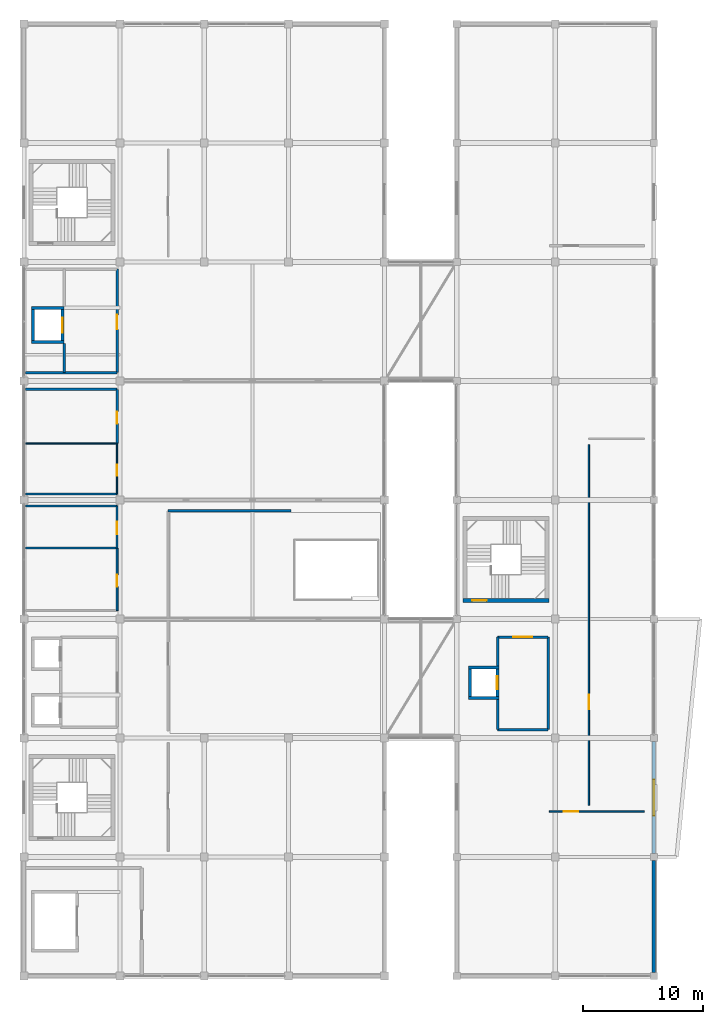
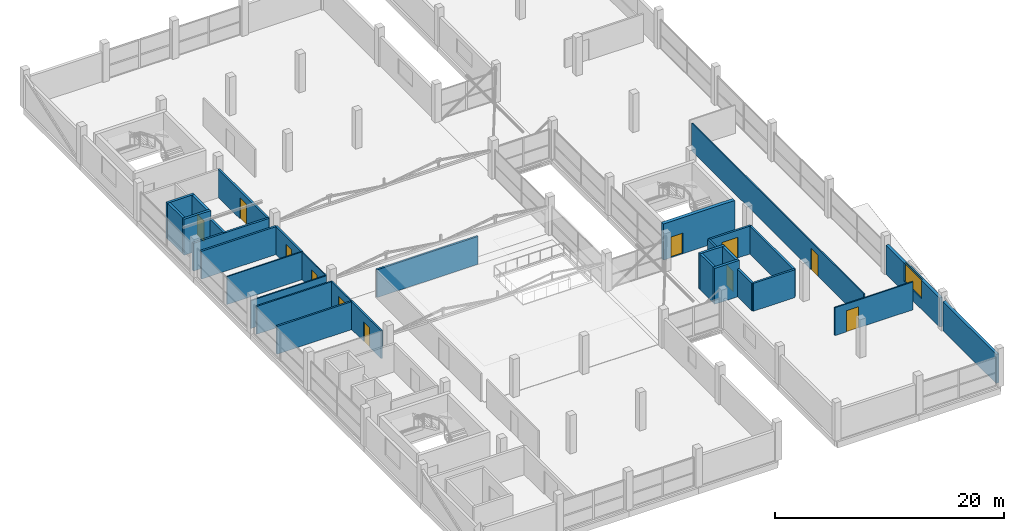
# One storey, part 57 of 66: 31 walls, 11 doors, 1 window, 12 openings.
"""IFC4 building model written with IfcOpenShell, lengths in metres."""

import ifcopenshell
import ifcopenshell.guid

model = None  # the IFC model being written
_history = None  # IfcOwnerHistory: only IFC2X3 demands one
_inside = {}  # id of a spatial element -> (the spatial element, [elements in it])
_under = {}  # id of a project, library or spatial element -> (it, [spatial elements below it])
_declared = {}  # id of a project -> (the project, [libraries it declares])
_typed = {}  # id of a type object -> (the type object, [elements of that type])
_made_of = {}  # id of a material, layer set ... -> (it, [elements and type objects made of it])


def new_model(schema):
    """Start an empty IFC model of exactly this schema.

    Asked for "IFC4X3", IfcOpenShell would pick the latest addendum, in which some entities
    have other attributes; the version numbers below select the first issue.
    IFC2X3 requires an IfcOwnerHistory on every rooted entity: one is made here for all.
    """
    global model, _history
    if schema == "IFC4X3":
        model = ifcopenshell.file(schema_version=(4, 3, 0, 0))
    else:
        model = ifcopenshell.file(schema=schema)
    _inside.clear()
    _under.clear()
    _declared.clear()
    _typed.clear()
    _made_of.clear()
    _history = None
    if model.schema == "IFC2X3":
        org = make("IfcOrganization", Name="unknown")
        user = make(
            "IfcPersonAndOrganization",
            ThePerson=make("IfcPerson", FamilyName="unknown"),
            TheOrganization=org,
        )
        app = make(
            "IfcApplication",
            ApplicationDeveloper=org,
            Version="unknown",
            ApplicationFullName="unknown",
            ApplicationIdentifier="unknown",
        )
        _history = make(
            "IfcOwnerHistory",
            OwningUser=user,
            OwningApplication=app,
            ChangeAction="ADDED",
            CreationDate=0,
        )
    return model


def make(cls, **values):
    """One entity of the class cls with the attributes given. An attribute that is None is left unset."""
    return model.create_entity(
        cls, **{name: value for name, value in values.items() if value is not None}
    )


def rooted(cls, **values):
    """An entity with a GlobalId (a new one), such as an element, a storey or a relation."""
    return make(cls, GlobalId=ifcopenshell.guid.new(), OwnerHistory=_history, **values)


def si_unit(unit_type, name, prefix=None):
    """IfcSIUnit, for example si_unit("LENGTHUNIT", "METRE", prefix="MILLI")."""
    return make("IfcSIUnit", UnitType=unit_type, Prefix=prefix, Name=name)


def assignment(units):
    """IfcUnitAssignment: the units of a project."""
    return None if units is None else make("IfcUnitAssignment", Units=units)


def point(xyz):
    """IfcCartesianPoint."""
    return None if xyz is None else make("IfcCartesianPoint", Coordinates=xyz)


def direction(xyz):
    """IfcDirection."""
    return None if xyz is None else make("IfcDirection", DirectionRatios=xyz)


def frame(location, z_axis=None, x_axis=None):
    """IfcAxis2Placement3D, a coordinate frame: its origin and axes. An axis left out is left unset."""
    return make(
        "IfcAxis2Placement3D",
        Location=point(location),
        Axis=direction(z_axis),
        RefDirection=direction(x_axis),
    )


def frame_2d(location, x_axis=None):
    """IfcAxis2Placement2D, a coordinate frame in the plane: its origin and x axis."""
    return make(
        "IfcAxis2Placement2D", Location=point(location), RefDirection=direction(x_axis)
    )


def origin():
    """The frame at (0, 0, 0) with its axes left unset."""
    return frame((0.0, 0.0, 0.0))


def place(relative_to, where):
    """IfcLocalPlacement: puts the frame where relative to a parent placement (None: the world)."""
    return make(
        "IfcLocalPlacement", PlacementRelTo=relative_to, RelativePlacement=where
    )


def context(
    kind, dimensions, precision=None, world=None, true_north=None, identifier=None
):
    """IfcGeometricRepresentationContext, for example the 3D "Model" context."""
    return make(
        "IfcGeometricRepresentationContext",
        ContextIdentifier=identifier,
        ContextType=kind,
        CoordinateSpaceDimension=dimensions,
        Precision=precision,
        WorldCoordinateSystem=world,
        TrueNorth=true_north,
    )


def subcontext(parent, identifier, kind, view, scale=None):
    """IfcGeometricRepresentationSubContext, for example "Body" below "Model"."""
    return make(
        "IfcGeometricRepresentationSubContext",
        ContextIdentifier=identifier,
        ContextType=kind,
        ParentContext=parent,
        TargetScale=scale,
        TargetView=view,
    )


def project(units=None, contexts=None):
    """IfcProject with its units and contexts."""
    return rooted(
        "IfcProject",
        Name="project",
        RepresentationContexts=contexts,
        UnitsInContext=assignment(units),
    )


def spatial(cls, under=None, at=None, **own):
    """A site, building, storey or space (cls), placed at a placement, below another one or the project."""
    s = rooted(cls, ObjectPlacement=at, **own)
    if under is not None:
        _under.setdefault(under.id(), (under, []))[1].append(s)
    return s


def profile(cls, at=None, kind="AREA", **sizes):
    """A parametric profile (cls). Its sizes go by their IFC names, for example OverallWidth=200.0."""
    return make(cls, ProfileType=kind, Position=at, **sizes)


def rectangle(**sizes):
    """IfcRectangleProfileDef."""
    return profile("IfcRectangleProfileDef", **sizes)


def extrude(swept, where, along, depth):
    """IfcExtrudedAreaSolid: the profile swept, set in the frame where, extruded along a direction by depth."""
    return make(
        "IfcExtrudedAreaSolid",
        SweptArea=swept,
        Position=where,
        ExtrudedDirection=direction(along),
        Depth=depth,
    )


def shape(context_of_items, identifier, shape_type, items):
    """IfcShapeRepresentation: the items that make up one representation, for example the "Body"."""
    return make(
        "IfcShapeRepresentation",
        ContextOfItems=context_of_items,
        RepresentationIdentifier=identifier,
        RepresentationType=shape_type,
        Items=items,
    )


def material(Name=None, Category=None):
    """IfcMaterial."""
    return make("IfcMaterial", Name=Name, Category=Category)


def layer(
    of_material, thickness, ventilated=None, Name=None, Category=None, Priority=None
):
    """IfcMaterialLayer: one layer of a wall or slab, of a material (None: an air gap)."""
    return make(
        "IfcMaterialLayer",
        Material=of_material,
        LayerThickness=thickness,
        IsVentilated=ventilated,
        Name=Name,
        Category=Category,
        Priority=Priority,
    )


def layer_set(layers, Name=None):
    """IfcMaterialLayerSet."""
    return make("IfcMaterialLayerSet", MaterialLayers=layers, LayerSetName=Name)


def made_of(thing, what):
    """Note that an element or type object is made of a material, layer set ...; save() writes the relation."""
    if what is not None:
        _made_of.setdefault(what.id(), (what, []))[1].append(thing)
    return thing


def type_object(cls, material=None, **own):
    """A type object (cls), such as IfcWallType, which elements share."""
    return made_of(rooted(cls, **own), material)


def element(
    cls,
    number,
    at=None,
    inside=None,
    cuts=None,
    type_object=None,
    material=None,
    context=None,
    identifier="Body",
    shape_type=None,
    held_by="IfcProductDefinitionShape",
    body=None,
    shapes=None,
    **own,
):
    """One element of the class cls, such as IfcWall. Its Tag is "e" and its number.

    at: its placement. inside: the storey or other place that contains it. cuts: it is an
    opening in that element (IfcRelVoidsElement). A single representation is given by context,
    identifier, shape_type and body (its items); several are given by shapes. held_by: the class
    of the entity that holds the representations. save() writes the other relations.
    """
    e = rooted(cls, Tag="e%d" % number, ObjectPlacement=at, **own)
    if body is not None:
        shapes = [shape(context, identifier, shape_type, body)]
    if shapes is not None:
        e.Representation = make(held_by, Representations=shapes)
    if inside is not None:
        _inside.setdefault(inside.id(), (inside, []))[1].append(e)
    if cuts is not None:
        rooted(
            "IfcRelVoidsElement", RelatingBuildingElement=cuts, RelatedOpeningElement=e
        )
    if type_object is not None:
        _typed.setdefault(type_object.id(), (type_object, []))[1].append(e)
    return made_of(e, material)


def fill(opening, filler):
    """IfcRelFillsElement: the door or window that sits in an opening."""
    return rooted(
        "IfcRelFillsElement",
        RelatingOpeningElement=opening,
        RelatedBuildingElement=filler,
    )


def aggregate(whole, parts):
    """IfcRelAggregates: a whole, such as a stair, and the parts it consists of."""
    return rooted("IfcRelAggregates", RelatingObject=whole, RelatedObjects=parts)


def save(model, path):
    """Write the relations noted so far, then the file.

    IfcRelAggregates (storeys below a building ...), IfcRelContainedInSpatialStructure (elements
    in a storey), IfcRelDefinesByType, IfcRelAssociatesMaterial and IfcRelDeclares: one each for
    every whole, place, type object, material and project.
    """
    for whole, parts in _under.values():
        aggregate(whole, parts)
    for where, things in _inside.values():
        rooted(
            "IfcRelContainedInSpatialStructure",
            RelatedElements=things,
            RelatingStructure=where,
        )
    for kind, things in _typed.values():
        rooted("IfcRelDefinesByType", RelatedObjects=things, RelatingType=kind)
    for what, things in _made_of.values():
        rooted("IfcRelAssociatesMaterial", RelatedObjects=things, RelatingMaterial=what)
    for by, libraries in _declared.values():
        rooted("IfcRelDeclares", RelatingContext=by, RelatedDefinitions=libraries)
    model.write(path)


model = new_model("IFC4")

# Units and contexts
model_context = context("Model", 3, precision=1e-05, world=origin(), true_north=direction((0.0, 1.0)))
body_context = subcontext(model_context, "Body", "Model", "MODEL_VIEW")
ifc_project = project(units=[si_unit("LENGTHUNIT", "METRE"), si_unit("AREAUNIT", "SQUARE_METRE"), si_unit("VOLUMEUNIT", "CUBIC_METRE"), si_unit("PLANEANGLEUNIT", "RADIAN"), si_unit("MASSUNIT", "GRAM", prefix="KILO")], contexts=[model_context])

# Site, building, storey
site_placement = place(None, origin())
site = spatial("IfcSite", under=ifc_project, at=site_placement, CompositionType="ELEMENT")
building_placement = place(site_placement, origin())
building = spatial("IfcBuilding", under=site, at=building_placement, Name="Sillaruma Civic Art Gallery", CompositionType="ELEMENT")
storey_placement = place(building_placement, frame((0.0, 0.0, 62.219970703125)))
storey = spatial("IfcBuildingStorey", under=building, at=storey_placement, Name="L12", CompositionType="ELEMENT", Elevation=62.219970703125)

# Wall, opening, door
ifc_material_1 = material(Name="Concrete H40 (40 MPa)", Category="concrete")
ifc_layer_1 = layer(ifc_material_1, 0.35009765625, Name="Concrete H40 (40 MPa)")
ifc_layer_set_1 = layer_set([ifc_layer_1], Name="Concrete H40 (40 MPa)")
wall_type_1 = type_object("IfcWallType", Name="WAL-CORE-350", PredefinedType="SHEAR", material=ifc_layer_set_1)
wall_1_placement = place(storey_placement, frame((98.510009765625, 51.034912109375, 0.0), z_axis=(0.0, 0.0, 1.0), x_axis=(1.0, 0.0, 0.0)))
wall_1 = element("IfcWall", 1, at=wall_1_placement, inside=storey, type_object=wall_type_1, Name="Stair Core Shear Wall W-CORE-350 (ST-04:L12:S)", PredefinedType="SHEAR", context=body_context, shape_type="SweptSolid", body=[
    extrude(rectangle(XDim=7.179931640625, YDim=0.35009765625, at=frame_2d((3.58984375, 0.0))), origin(), (0.0, 0.0, 1.0), 3.85009765625),
])
opening_1_placement = place(wall_1_placement, frame((0.77001953125, 0.0, 0.0)))
opening_1 = element("IfcOpeningElement", 2, at=opening_1_placement, cuts=wall_1, Name="Opening D-STAIR", PredefinedType="OPENING", context=body_context, shape_type="SweptSolid", body=[
    extrude(rectangle(XDim=1.199951171875, YDim=2.199951171875, at=frame_2d((0.60009765625, 1.10009765625))), frame((0.0, 0.18505859375, 0.0), z_axis=(0.0, -1.0, 0.0), x_axis=(1.0, 0.0, 0.0)), (0.0, 0.0, 1.0), 0.3701171875),
])
ifc_material_2 = material(Name="Galvanised Steel ASTM A653 Gr.50", Category="steel")
door_type_1 = type_object("IfcDoorType", Name="DOR-STAIR-120", OperationType="NOTDEFINED", PredefinedType="DOOR", material=ifc_material_2)
door_1_placement = place(opening_1_placement, origin())
door_1 = element("IfcDoor", 3, at=door_1_placement, inside=storey, type_object=door_type_1, Name="Protected Stair Fire Door (ST-04:L12)", OperationType="SINGLE_SWING_RIGHT", OverallHeight=2.199951171875, OverallWidth=1.199951171875, PredefinedType="DOOR", context=body_context, shape_type="SweptSolid", body=[
    extrude(rectangle(XDim=1.199951171875, YDim=2.199951171875, at=frame_2d((0.60009765625, 1.10009765625))), frame((0.0, 0.02490234375, 0.0), z_axis=(0.0, -1.0, 0.0), x_axis=(1.0, 0.0, 0.0)), (0.0, 0.0, 1.0), 0.050048828125),
])
fill(opening_1, door_1)

# Wall
ifc_material_3 = material(Name="Concrete H35 (35 MPa)", Category="concrete")
ifc_layer_2 = layer(ifc_material_3, 0.169921875, Name="Concrete backup", Category="concrete")
ifc_material_4 = material(Name="Mineral Wool Thermal Insulation", Category="insulation")
ifc_layer_3 = layer(ifc_material_4, 0.090087890625, Name="Thermal insulation", Category="insulation")
ifc_material_5 = material(Name="Anodised Zinc-Aluminium Alloy", Category="aluminium")
ifc_layer_4 = layer(ifc_material_5, 0.030029296875, Name="Rainscreen finish", Category="aluminium")
ifc_layer_set_2 = layer_set([ifc_layer_2, ifc_layer_3, ifc_layer_4], Name="W-EXT-290")
wall_type_2 = type_object("IfcWallType", Name="WAL-EXT-290", PredefinedType="SOLIDWALL", material=ifc_layer_set_2)
wall_2_placement = place(storey_placement, frame((114.39990234375, 20.10009765625, 0.0), z_axis=(0.0, 0.0, 1.0), x_axis=(0.0, 1.0, 0.0)))
element("IfcWall", 4, at=wall_2_placement, inside=storey, type_object=wall_type_2, Name="Exterior Wall W-EXT-290 (EW-L12-EBE-1)", PredefinedType="SOLIDWALL", context=body_context, shape_type="SweptSolid", body=[
    extrude(rectangle(XDim=9.2998046875, YDim=0.2900390625, at=frame_2d((4.64990234375, 0.0))), origin(), (0.0, 0.0, 1.0), 3.10009765625),
])

# Wall, opening, window
ifc_material_6 = material(Name="Precast Concrete H35 (35 MPa)", Category="concrete")
ifc_layer_5 = layer(ifc_material_6, 0.179931640625, Name="Precast backup", Category="concrete")
ifc_layer_6 = layer(ifc_material_4, 0.090087890625, Name="Thermal insulation", Category="insulation")
ifc_material_7 = material(Name="Comanche Granitic Ashlar Stone", Category="masonry")
ifc_layer_7 = layer(ifc_material_7, 0.030029296875, Name="Rainscreen cladding", Category="masonry")
ifc_layer_set_3 = layer_set([ifc_layer_5, ifc_layer_6, ifc_layer_7], Name="W-EXT-300")
wall_type_3 = type_object("IfcWallType", Name="WAL-EXT-300", PredefinedType="SOLIDWALL", material=ifc_layer_set_3)
wall_3_placement = place(storey_placement, frame((114.39990234375, 30.0, 0.0), z_axis=(0.0, 0.0, 1.0), x_axis=(0.0, 1.0, 0.0)))
wall_3 = element("IfcWall", 5, at=wall_3_placement, inside=storey, type_object=wall_type_3, Name="Exterior Wall W-EXT-300 (EW-L12-EBE-2)", PredefinedType="SOLIDWALL", context=body_context, shape_type="SweptSolid", body=[
    extrude(rectangle(XDim=9.300048828125, YDim=0.300048828125, at=frame_2d((4.64990234375, 0.0))), origin(), (0.0, 0.0, 1.0), 3.10009765625),
])
opening_2_placement = place(wall_3_placement, frame((3.14990234375, 0.0, 1.14990234375)))
opening_2 = element("IfcOpeningElement", 6, at=opening_2_placement, cuts=wall_3, Name="Opening WN-10", PredefinedType="OPENING", context=body_context, shape_type="SweptSolid", body=[
    extrude(rectangle(XDim=3.0, YDim=1.949951171875, at=frame_2d((1.5, 0.97509765625))), frame((0.0, 0.159912109375, 0.0), z_axis=(0.0, -1.0, 0.0), x_axis=(1.0, 0.0, 0.0)), (0.0, 0.0, 1.0), 0.320068359375),
])
ifc_material_8 = material(Name="Thermally Broken Extruded Aluminium 6063-T6", Category="aluminium")
window_type = type_object("IfcWindowType", Name="WIN-W10", PartitioningType="SINGLE_PANEL", PredefinedType="WINDOW", material=ifc_material_8)
window_placement = place(opening_2_placement, origin())
window = element("IfcWindow", 7, at=window_placement, inside=storey, type_object=window_type, Name="Window WN-10 (EW-L12-EBE-2-1)", OverallHeight=1.949951171875, OverallWidth=3.0, PartitioningType="SINGLE_PANEL", PredefinedType="WINDOW", context=body_context, shape_type="SweptSolid", body=[
    extrude(rectangle(XDim=3.0, YDim=1.949951171875, at=frame_2d((1.5, 0.97509765625))), frame((0.0, 0.030029296875, 0.0), z_axis=(0.0, -1.0, 0.0), x_axis=(1.0, 0.0, 0.0)), (0.0, 0.0, 1.0), 0.06005859375),
])
fill(opening_2, window)

# Walls
ifc_material_9 = material(Name="Concrete Masonry Unit Grade M15", Category="masonry")
ifc_layer_8 = layer(ifc_material_9, 0.199951171875, Name="Concrete Masonry Unit Grade M15")
ifc_layer_set_4 = layer_set([ifc_layer_8], Name="Concrete Masonry Unit Grade M15")
wall_type_4 = type_object("IfcWallType", Name="WAL-LOBBY-200", PredefinedType="SOLIDWALL", material=ifc_layer_set_4)
wall_4_placement = place(storey_placement, frame((62.14990234375, 70.0, 0.0), z_axis=(0.0, 0.0, 1.0), x_axis=(1.0, 0.0, 0.0)))
element("IfcWall", 8, at=wall_4_placement, inside=storey, type_object=wall_type_4, Name="Interior Wall W-LOBBY-200 (L12-FFL)", PredefinedType="SOLIDWALL", context=body_context, shape_type="SweptSolid", body=[
    extrude(rectangle(XDim=7.60009765625, YDim=0.199951171875, at=frame_2d((3.800048828125, 0.0))), origin(), (0.0, 0.0, 1.0), 2.969970703125),
])
wall_5_placement = place(storey_placement, frame((65.35009765625, 70.0, 0.0), z_axis=(0.0, 0.0, 1.0), x_axis=(0.0, 1.0, 0.0)))
element("IfcWall", 9, at=wall_5_placement, inside=storey, type_object=wall_type_4, Name="Interior Wall W-LOBBY-200 (L12-FFL)", PredefinedType="SOLIDWALL", context=body_context, shape_type="SweptSolid", body=[
    extrude(rectangle(XDim=2.39990234375, YDim=0.199951171875, at=frame_2d((1.199951171875, 0.0))), origin(), (0.0, 0.0, 1.0), 2.969970703125),
])

# Wall, opening, door
wall_6_placement = place(storey_placement, frame((69.75, 70.0, 0.0), z_axis=(0.0, 0.0, 1.0), x_axis=(0.0, 1.0, 0.0)))
wall_6 = element("IfcWall", 10, at=wall_6_placement, inside=storey, type_object=wall_type_4, Name="Interior Wall W-LOBBY-200 (L12-FFL)", PredefinedType="SOLIDWALL", context=body_context, shape_type="SweptSolid", body=[
    extrude(rectangle(XDim=8.60009765625, YDim=0.199951171875, at=frame_2d((4.300048828125, 0.0))), origin(), (0.0, 0.0, 1.0), 2.969970703125),
])
opening_3_placement = place(wall_6_placement, frame((3.60009765625, 0.0, 0.0)))
opening_3 = element("IfcOpeningElement", 11, at=opening_3_placement, cuts=wall_6, Name="Opening D-FFL", PredefinedType="OPENING", context=body_context, shape_type="SweptSolid", body=[
    extrude(rectangle(XDim=1.199951171875, YDim=2.25, at=frame_2d((0.60009765625, 1.125))), frame((0.0, 0.10986328125, 0.0), z_axis=(0.0, -1.0, 0.0), x_axis=(1.0, 0.0, 0.0)), (0.0, 0.0, 1.0), 0.219970703125),
])
door_type_2 = type_object("IfcDoorType", Name="DOR-FFL-120", OperationType="NOTDEFINED", PredefinedType="DOOR", material=ifc_material_2)
door_2_placement = place(opening_3_placement, origin())
door_2 = element("IfcDoor", 12, at=door_2_placement, inside=storey, type_object=door_type_2, Name="Firefighting Lobby Door (D-FFL)", OperationType="SINGLE_SWING_RIGHT", OverallHeight=2.25, OverallWidth=1.199951171875, PredefinedType="DOOR", context=body_context, shape_type="SweptSolid", body=[
    extrude(rectangle(XDim=1.199951171875, YDim=2.25, at=frame_2d((0.60009765625, 1.125))), frame((0.0, 0.02490234375, 0.0), z_axis=(0.0, -1.0, 0.0), x_axis=(1.0, 0.0, 0.0)), (0.0, 0.0, 1.0), 0.050048828125),
])
fill(opening_3, door_2)

# Wall
wall_7_placement = place(storey_placement, frame((62.14990234375, 68.60009765625, 0.0), z_axis=(0.0, 0.0, 1.0), x_axis=(1.0, 0.0, 0.0)))
element("IfcWall", 13, at=wall_7_placement, inside=storey, type_object=wall_type_4, Name="Interior Wall W-LOBBY-200 (L12-RSR)", PredefinedType="SOLIDWALL", context=body_context, shape_type="SweptSolid", body=[
    extrude(rectangle(XDim=7.60009765625, YDim=0.199951171875, at=frame_2d((3.800048828125, 0.0))), origin(), (0.0, 0.0, 1.0), 2.969970703125),
])

# Wall, opening, door
wall_8_placement = place(storey_placement, frame((69.75, 64.10009765625, 0.0), z_axis=(0.0, 0.0, 1.0), x_axis=(0.0, 1.0, 0.0)))
wall_8 = element("IfcWall", 14, at=wall_8_placement, inside=storey, type_object=wall_type_4, Name="Interior Wall W-LOBBY-200 (L12-RSR)", PredefinedType="SOLIDWALL", context=body_context, shape_type="SweptSolid", body=[
    extrude(rectangle(XDim=4.5, YDim=0.199951171875, at=frame_2d((2.25, 0.0))), origin(), (0.0, 0.0, 1.0), 2.969970703125),
])
opening_4_placement = place(wall_8_placement, frame((1.64990234375, 0.0, 0.0)))
opening_4 = element("IfcOpeningElement", 15, at=opening_4_placement, cuts=wall_8, Name="Opening D-RISER", PredefinedType="OPENING", context=body_context, shape_type="SweptSolid", body=[
    extrude(rectangle(XDim=1.0, YDim=2.14990234375, at=frame_2d((0.5, 1.074951171875))), frame((0.0, 0.10986328125, 0.0), z_axis=(0.0, -1.0, 0.0), x_axis=(1.0, 0.0, 0.0)), (0.0, 0.0, 1.0), 0.219970703125),
])
door_type_3 = type_object("IfcDoorType", Name="DOR-RISER-100", OperationType="NOTDEFINED", PredefinedType="DOOR", material=ifc_material_2)
door_3_placement = place(opening_4_placement, origin())
door_3 = element("IfcDoor", 16, at=door_3_placement, inside=storey, type_object=door_type_3, Name="MEP Service Riser Door (D-RISER)", OperationType="SINGLE_SWING_RIGHT", OverallHeight=2.14990234375, OverallWidth=1.0, PredefinedType="DOOR", context=body_context, shape_type="SweptSolid", body=[
    extrude(rectangle(XDim=1.0, YDim=2.14990234375, at=frame_2d((0.5, 1.074951171875))), frame((0.0, 0.02490234375, 0.0), z_axis=(0.0, -1.0, 0.0), x_axis=(1.0, 0.0, 0.0)), (0.0, 0.0, 1.0), 0.050048828125),
])
fill(opening_4, door_3)

# Walls
wall_9_placement = place(storey_placement, frame((101.39990234375, 40.300048828125, 0.0), z_axis=(0.0, 0.0, 1.0), x_axis=(1.0, 0.0, 0.0)))
element("IfcWall", 17, at=wall_9_placement, inside=storey, type_object=wall_type_4, Name="Interior Wall W-LOBBY-200 (L12-LLE)", PredefinedType="SOLIDWALL", context=body_context, shape_type="SweptSolid", body=[
    extrude(rectangle(XDim=4.2001953125, YDim=0.199951171875, at=frame_2d((2.10009765625, 0.0))), origin(), (0.0, 0.0, 1.0), 2.969970703125),
])
wall_10_placement = place(storey_placement, frame((101.39990234375, 40.300048828125, 0.0), z_axis=(0.0, 0.0, 1.0), x_axis=(0.0, 1.0, 0.0)))
element("IfcWall", 18, at=wall_10_placement, inside=storey, type_object=wall_type_4, Name="Interior Wall W-LOBBY-200 (L12-LLE)", PredefinedType="SOLIDWALL", context=body_context, shape_type="SweptSolid", body=[
    extrude(rectangle(XDim=2.5, YDim=0.199951171875, at=frame_2d((1.25, 0.0))), origin(), (0.0, 0.0, 1.0), 2.969970703125),
])
wall_11_placement = place(storey_placement, frame((101.39990234375, 45.60009765625, 0.0), z_axis=(0.0, 0.0, 1.0), x_axis=(0.0, 1.0, 0.0)))
element("IfcWall", 19, at=wall_11_placement, inside=storey, type_object=wall_type_4, Name="Interior Wall W-LOBBY-200 (L12-LLE)", PredefinedType="SOLIDWALL", context=body_context, shape_type="SweptSolid", body=[
    extrude(rectangle(XDim=2.39990234375, YDim=0.199951171875, at=frame_2d((1.199951171875, 0.0))), origin(), (0.0, 0.0, 1.0), 2.969970703125),
])
wall_12_placement = place(storey_placement, frame((105.60009765625, 40.300048828125, 0.0), z_axis=(0.0, 0.0, 1.0), x_axis=(0.0, 1.0, 0.0)))
element("IfcWall", 20, at=wall_12_placement, inside=storey, type_object=wall_type_4, Name="Interior Wall W-LOBBY-200 (L12-LLE)", PredefinedType="SOLIDWALL", context=body_context, shape_type="SweptSolid", body=[
    extrude(rectangle(XDim=7.699951171875, YDim=0.199951171875, at=frame_2d((3.85009765625, 0.0))), origin(), (0.0, 0.0, 1.0), 2.969970703125),
])

# Wall, opening, door
wall_13_placement = place(storey_placement, frame((101.39990234375, 48.0, 0.0), z_axis=(0.0, 0.0, 1.0), x_axis=(1.0, 0.0, 0.0)))
wall_13 = element("IfcWall", 21, at=wall_13_placement, inside=storey, type_object=wall_type_4, Name="Interior Wall W-LOBBY-200 (L12-LLE)", PredefinedType="SOLIDWALL", context=body_context, shape_type="SweptSolid", body=[
    extrude(rectangle(XDim=4.2001953125, YDim=0.199951171875, at=frame_2d((2.10009765625, 0.0))), origin(), (0.0, 0.0, 1.0), 2.969970703125),
])
opening_5_placement = place(wall_13_placement, frame((1.300048828125, 0.0, 0.0)))
opening_5 = element("IfcOpeningElement", 22, at=opening_5_placement, cuts=wall_13, Name="Opening D-LOBBY", PredefinedType="OPENING", context=body_context, shape_type="SweptSolid", body=[
    extrude(rectangle(XDim=1.60009765625, YDim=2.199951171875, at=frame_2d((0.800048828125, 1.10009765625))), frame((0.0, 0.10986328125, 0.0), z_axis=(0.0, -1.0, 0.0), x_axis=(1.0, 0.0, 0.0)), (0.0, 0.0, 1.0), 0.219970703125),
])
door_type_4 = type_object("IfcDoorType", Name="DOR-LOBBY-160", OperationType="NOTDEFINED", PredefinedType="DOOR", material=ifc_material_8)
door_4_placement = place(opening_5_placement, origin())
door_4 = element("IfcDoor", 23, at=door_4_placement, inside=storey, type_object=door_type_4, Name="East Lift Lobby Door (D-LOBBY)", OperationType="DOUBLE_DOOR_SINGLE_SWING", OverallHeight=2.199951171875, OverallWidth=1.60009765625, PredefinedType="DOOR", context=body_context, shape_type="SweptSolid", body=[
    extrude(rectangle(XDim=1.60009765625, YDim=2.199951171875, at=frame_2d((0.800048828125, 1.10009765625))), frame((0.0, 0.02490234375, 0.0), z_axis=(0.0, -1.0, 0.0), x_axis=(1.0, 0.0, 0.0)), (0.0, 0.0, 1.0), 0.050048828125),
])
fill(opening_5, door_4)

ifc_material_10 = material(Name="Gypsum Acoustic Board", Category="gypsum")
ifc_layer_9 = layer(ifc_material_10, 0.02490234375, Name="Finish board", Category="gypsum")
ifc_layer_10 = layer(ifc_material_4, 0.06005859375, Name="Acoustic core", Category="insulation")
ifc_material_11 = material(Name="Andean Oak Timber", Category="wood")
ifc_layer_11 = layer(ifc_material_11, 0.02490234375, Name="Gallery lining", Category="wood")
ifc_layer_set_5 = layer_set([ifc_layer_9, ifc_layer_10, ifc_layer_11], Name="W-PT-110")
wall_type_5 = type_object("IfcWallType", Name="WAL-PART-110", PredefinedType="PARTITIONING", material=ifc_layer_set_5)
wall_14_placement = place(storey_placement, frame((69.75, 59.89990234375, 0.0), z_axis=(0.0, 0.0, 1.0), x_axis=(0.0, 1.0, 0.0)))
wall_14 = element("IfcWall", 24, at=wall_14_placement, inside=storey, type_object=wall_type_5, Name="Interior Wall W-PT-110 (L12-CLN)", PredefinedType="PARTITIONING", context=body_context, shape_type="SweptSolid", body=[
    extrude(rectangle(XDim=4.2001953125, YDim=0.110107421875, at=frame_2d((2.10009765625, 0.0))), origin(), (0.0, 0.0, 1.0), 2.969970703125),
])
opening_6_placement = place(wall_14_placement, frame((1.5, 0.0, 0.0)))
opening_6 = element("IfcOpeningElement", 25, at=opening_6_placement, cuts=wall_14, Name="Opening D-SVC09", PredefinedType="OPENING", context=body_context, shape_type="SweptSolid", body=[
    extrude(rectangle(XDim=0.949951171875, YDim=2.10009765625, at=frame_2d((0.47509765625, 1.050048828125))), frame((0.0, 0.06494140625, 0.0), z_axis=(0.0, -1.0, 0.0), x_axis=(1.0, 0.0, 0.0)), (0.0, 0.0, 1.0), 0.130126953125),
])
door_type_5 = type_object("IfcDoorType", Name="DOR-SVC-095", OperationType="NOTDEFINED", PredefinedType="DOOR", material=ifc_material_11)
door_5_placement = place(opening_6_placement, origin())
door_5 = element("IfcDoor", 26, at=door_5_placement, inside=storey, type_object=door_type_5, Name="Cleaner Store Door (D-SVC09)", OperationType="SINGLE_SWING_LEFT", OverallHeight=2.10009765625, OverallWidth=0.949951171875, PredefinedType="DOOR", context=body_context, shape_type="SweptSolid", body=[
    extrude(rectangle(XDim=0.949951171875, YDim=2.10009765625, at=frame_2d((0.47509765625, 1.050048828125))), frame((0.0, 0.02490234375, 0.0), z_axis=(0.0, -1.0, 0.0), x_axis=(1.0, 0.0, 0.0)), (0.0, 0.0, 1.0), 0.050048828125),
])
fill(opening_6, door_5)

# Wall
ifc_layer_12 = layer(ifc_material_10, 0.02490234375, Name="Finish board", Category="gypsum")
ifc_layer_13 = layer(ifc_material_4, 0.070068359375, Name="Acoustic core", Category="insulation")
ifc_layer_14 = layer(ifc_material_11, 0.02490234375, Name="Gallery lining", Category="wood")
ifc_layer_set_6 = layer_set([ifc_layer_12, ifc_layer_13, ifc_layer_14], Name="W-PT-120")
wall_type_6 = type_object("IfcWallType", Name="WAL-PART-120", PredefinedType="PARTITIONING", material=ifc_layer_set_6)
wall_15_placement = place(storey_placement, frame((62.14990234375, 64.10009765625, 0.0), z_axis=(0.0, 0.0, 1.0), x_axis=(1.0, 0.0, 0.0)))
element("IfcWall", 27, at=wall_15_placement, inside=storey, type_object=wall_type_6, Name="Interior Wall W-PT-120 (L12-CLN)", PredefinedType="PARTITIONING", context=body_context, shape_type="SweptSolid", body=[
    extrude(rectangle(XDim=7.60009765625, YDim=0.1201171875, at=frame_2d((3.800048828125, 0.0))), origin(), (0.0, 0.0, 1.0), 2.969970703125),
])

# Wall, opening, door
wall_16_placement = place(storey_placement, frame((109.0, 34.0, 0.0), z_axis=(0.0, 0.0, 1.0), x_axis=(0.0, 1.0, 0.0)))
wall_16 = element("IfcWall", 28, at=wall_16_placement, inside=storey, type_object=wall_type_6, Name="Interior Wall W-PT-120 (L12-STDE2)", PredefinedType="PARTITIONING", context=body_context, shape_type="SweptSolid", body=[
    extrude(rectangle(XDim=30.0, YDim=0.1201171875, at=frame_2d((15.0, 0.0))), origin(), (0.0, 0.0, 1.0), 2.969970703125),
])
opening_7_placement = place(wall_16_placement, frame((8.0, 0.0, 0.0)))
opening_7 = element("IfcOpeningElement", 29, at=opening_7_placement, cuts=wall_16, Name="Opening D-STD12", PredefinedType="OPENING", context=body_context, shape_type="SweptSolid", body=[
    extrude(rectangle(XDim=1.199951171875, YDim=2.25, at=frame_2d((0.60009765625, 1.125))), frame((0.0, 0.070068359375, 0.0), z_axis=(0.0, -1.0, 0.0), x_axis=(1.0, 0.0, 0.0)), (0.0, 0.0, 1.0), 0.14013671875),
])
door_type_6 = type_object("IfcDoorType", Name="DOR-STD-120", OperationType="NOTDEFINED", PredefinedType="DOOR", material=ifc_material_11)
door_6_placement = place(opening_7_placement, origin())
door_6 = element("IfcDoor", 30, at=door_6_placement, inside=storey, type_object=door_type_6, Name="East Wing Curatorial Office Door (D-STD12)", OperationType="SINGLE_SWING_RIGHT", OverallHeight=2.25, OverallWidth=1.199951171875, PredefinedType="DOOR", context=body_context, shape_type="SweptSolid", body=[
    extrude(rectangle(XDim=1.199951171875, YDim=2.25, at=frame_2d((0.60009765625, 1.125))), frame((0.0, 0.02490234375, 0.0), z_axis=(0.0, -1.0, 0.0), x_axis=(1.0, 0.0, 0.0)), (0.0, 0.0, 1.0), 0.050048828125),
])
fill(opening_7, door_6)

# Wall
ifc_layer_15 = layer(ifc_material_10, 0.02490234375, Name="Finish board", Category="gypsum")
ifc_layer_16 = layer(ifc_material_4, 0.080078125, Name="Acoustic core", Category="insulation")
ifc_layer_17 = layer(ifc_material_11, 0.02490234375, Name="Gallery lining", Category="wood")
ifc_layer_set_7 = layer_set([ifc_layer_15, ifc_layer_16, ifc_layer_17], Name="W-PT-130")
wall_type_7 = type_object("IfcWallType", Name="WAL-PART-130", PredefinedType="PARTITIONING", material=ifc_layer_set_7)
wall_17_placement = place(storey_placement, frame((62.14990234375, 59.89990234375, 0.0), z_axis=(0.0, 0.0, 1.0), x_axis=(1.0, 0.0, 0.0)))
element("IfcWall", 31, at=wall_17_placement, inside=storey, type_object=wall_type_7, Name="Interior Wall W-PT-130 (L12-CLN)", PredefinedType="PARTITIONING", context=body_context, shape_type="SweptSolid", body=[
    extrude(rectangle(XDim=7.60009765625, YDim=0.1298828125, at=frame_2d((3.800048828125, 0.0))), origin(), (0.0, 0.0, 1.0), 2.969970703125),
])

# Wall, opening, door
wall_18_placement = place(storey_placement, frame((105.699951171875, 33.5, 0.0), z_axis=(0.0, 0.0, 1.0), x_axis=(1.0, 0.0, 0.0)))
wall_18 = element("IfcWall", 32, at=wall_18_placement, inside=storey, type_object=wall_type_7, Name="Interior Wall W-PT-130 (L12-STDE1)", PredefinedType="PARTITIONING", context=body_context, shape_type="SweptSolid", body=[
    extrude(rectangle(XDim=7.900146484375, YDim=0.1298828125, at=frame_2d((3.9501953125, 0.0))), origin(), (0.0, 0.0, 1.0), 2.969970703125),
])
opening_8_placement = place(wall_18_placement, frame((1.199951171875, 0.0, 0.0)))
opening_8 = element("IfcOpeningElement", 33, at=opening_8_placement, cuts=wall_18, Name="Opening D-STD12", PredefinedType="OPENING", context=body_context, shape_type="SweptSolid", body=[
    extrude(rectangle(XDim=1.199951171875, YDim=2.25, at=frame_2d((0.60009765625, 1.125))), frame((0.0, 0.074951171875, 0.0), z_axis=(0.0, -1.0, 0.0), x_axis=(1.0, 0.0, 0.0)), (0.0, 0.0, 1.0), 0.14990234375),
])
door_7_placement = place(opening_8_placement, origin())
door_7 = element("IfcDoor", 34, at=door_7_placement, inside=storey, type_object=door_type_6, Name="East Wing South Artist Studio (L12) Door (D-STD12)", OperationType="SINGLE_SWING_LEFT", OverallHeight=2.25, OverallWidth=1.199951171875, PredefinedType="DOOR", context=body_context, shape_type="SweptSolid", body=[
    extrude(rectangle(XDim=1.199951171875, YDim=2.25, at=frame_2d((0.60009765625, 1.125))), frame((0.0, 0.02490234375, 0.0), z_axis=(0.0, -1.0, 0.0), x_axis=(1.0, 0.0, 0.0)), (0.0, 0.0, 1.0), 0.050048828125),
])
fill(opening_8, door_7)

ifc_layer_18 = layer(ifc_material_10, 0.02490234375, Name="Finish board", Category="gypsum")
ifc_layer_19 = layer(ifc_material_4, 0.090087890625, Name="Acoustic core", Category="insulation")
ifc_layer_20 = layer(ifc_material_11, 0.02490234375, Name="Gallery lining", Category="wood")
ifc_layer_set_8 = layer_set([ifc_layer_18, ifc_layer_19, ifc_layer_20], Name="W-PT-140")
wall_type_8 = type_object("IfcWallType", Name="WAL-PART-140", PredefinedType="PARTITIONING", material=ifc_layer_set_8)
wall_19_placement = place(storey_placement, frame((69.75, 55.39990234375, 0.0), z_axis=(0.0, 0.0, 1.0), x_axis=(0.0, 1.0, 0.0)))
wall_19 = element("IfcWall", 35, at=wall_19_placement, inside=storey, type_object=wall_type_8, Name="Interior Wall W-PT-140 (L12-WCA)", PredefinedType="PARTITIONING", context=body_context, shape_type="SweptSolid", body=[
    extrude(rectangle(XDim=3.5, YDim=0.139892578125, at=frame_2d((1.75, 0.0))), origin(), (0.0, 0.0, 1.0), 2.969970703125),
])
opening_9_placement = place(wall_19_placement, frame((1.14990234375, 0.0, 0.0)))
opening_9 = element("IfcOpeningElement", 36, at=opening_9_placement, cuts=wall_19, Name="Opening D-AWC10", PredefinedType="OPENING", context=body_context, shape_type="SweptSolid", body=[
    extrude(rectangle(XDim=1.050048828125, YDim=2.14990234375, at=frame_2d((0.52490234375, 1.074951171875))), frame((0.0, 0.079833984375, 0.0), z_axis=(0.0, -1.0, 0.0), x_axis=(1.0, 0.0, 0.0)), (0.0, 0.0, 1.0), 0.159912109375),
])
door_type_7 = type_object("IfcDoorType", Name="DOR-AWC-105", OperationType="NOTDEFINED", PredefinedType="DOOR", material=ifc_material_11)
door_8_placement = place(opening_9_placement, origin())
door_8 = element("IfcDoor", 37, at=door_8_placement, inside=storey, type_object=door_type_7, Name="Accessible WC Door (D-AWC10)", OperationType="SINGLE_SWING_RIGHT", OverallHeight=2.14990234375, OverallWidth=1.050048828125, PredefinedType="DOOR", context=body_context, shape_type="SweptSolid", body=[
    extrude(rectangle(XDim=1.050048828125, YDim=2.14990234375, at=frame_2d((0.52490234375, 1.074951171875))), frame((0.0, 0.02490234375, 0.0), z_axis=(0.0, -1.0, 0.0), x_axis=(1.0, 0.0, 0.0)), (0.0, 0.0, 1.0), 0.050048828125),
])
fill(opening_9, door_8)

# Wall
ifc_layer_21 = layer(ifc_material_10, 0.02490234375, Name="Finish board", Category="gypsum")
ifc_layer_22 = layer(ifc_material_4, 0.10009765625, Name="Acoustic core", Category="insulation")
ifc_layer_23 = layer(ifc_material_11, 0.02490234375, Name="Gallery lining", Category="wood")
ifc_layer_set_9 = layer_set([ifc_layer_21, ifc_layer_22, ifc_layer_23], Name="W-PT-150")
wall_type_9 = type_object("IfcWallType", Name="WAL-PART-150", PredefinedType="PARTITIONING", material=ifc_layer_set_9)
wall_20_placement = place(storey_placement, frame((62.14990234375, 58.89990234375, 0.0), z_axis=(0.0, 0.0, 1.0), x_axis=(1.0, 0.0, 0.0)))
element("IfcWall", 38, at=wall_20_placement, inside=storey, type_object=wall_type_9, Name="Interior Wall W-PT-150 (L12-WCA)", PredefinedType="PARTITIONING", context=body_context, shape_type="SweptSolid", body=[
    extrude(rectangle(XDim=7.60009765625, YDim=0.14990234375, at=frame_2d((3.800048828125, 0.0))), origin(), (0.0, 0.0, 1.0), 2.969970703125),
])

# Wall, opening, door
ifc_layer_24 = layer(ifc_material_10, 0.02490234375, Name="Finish board", Category="gypsum")
ifc_layer_25 = layer(ifc_material_4, 0.114990234375, Name="Acoustic core", Category="insulation")
ifc_layer_26 = layer(ifc_material_11, 0.02490234375, Name="Gallery lining", Category="wood")
ifc_layer_set_10 = layer_set([ifc_layer_24, ifc_layer_25, ifc_layer_26], Name="W-PT-165")
wall_type_10 = type_object("IfcWallType", Name="WAL-PART-165", PredefinedType="PARTITIONING", material=ifc_layer_set_10)
wall_21_placement = place(storey_placement, frame((69.75, 50.199951171875, 0.0), z_axis=(0.0, 0.0, 1.0), x_axis=(0.0, 1.0, 0.0)))
wall_21 = element("IfcWall", 39, at=wall_21_placement, inside=storey, type_object=wall_type_10, Name="Interior Wall W-PT-165 (L12-WC1)", PredefinedType="PARTITIONING", context=body_context, shape_type="SweptSolid", body=[
    extrude(rectangle(XDim=5.199951171875, YDim=0.1650390625, at=frame_2d((2.60009765625, 0.0))), origin(), (0.0, 0.0, 1.0), 2.969970703125),
])
opening_10_placement = place(wall_21_placement, frame((2.0, 0.0, 0.0)))
opening_10 = element("IfcOpeningElement", 40, at=opening_10_placement, cuts=wall_21, Name="Opening D-WC10", PredefinedType="OPENING", context=body_context, shape_type="SweptSolid", body=[
    extrude(rectangle(XDim=1.0, YDim=2.10009765625, at=frame_2d((0.5, 1.050048828125))), frame((0.0, 0.092529296875, 0.0), z_axis=(0.0, -1.0, 0.0), x_axis=(1.0, 0.0, 0.0)), (0.0, 0.0, 1.0), 0.18505859375),
])
door_type_8 = type_object("IfcDoorType", Name="DOR-WC-100", OperationType="NOTDEFINED", PredefinedType="DOOR", material=ifc_material_11)
door_9_placement = place(opening_10_placement, origin())
door_9 = element("IfcDoor", 41, at=door_9_placement, inside=storey, type_object=door_type_8, Name="Public WC Door (D-WC10)", OperationType="SINGLE_SWING_LEFT", OverallHeight=2.10009765625, OverallWidth=1.0, PredefinedType="DOOR", context=body_context, shape_type="SweptSolid", body=[
    extrude(rectangle(XDim=1.0, YDim=2.10009765625, at=frame_2d((0.5, 1.050048828125))), frame((0.0, 0.02490234375, 0.0), z_axis=(0.0, -1.0, 0.0), x_axis=(1.0, 0.0, 0.0)), (0.0, 0.0, 1.0), 0.050048828125),
])
fill(opening_10, door_9)

# Walls
ifc_layer_27 = layer(ifc_material_10, 0.02490234375, Name="Finish board", Category="gypsum")
ifc_layer_28 = layer(ifc_material_4, 0.1298828125, Name="Acoustic core", Category="insulation")
ifc_layer_29 = layer(ifc_material_11, 0.02490234375, Name="Gallery lining", Category="wood")
ifc_layer_set_11 = layer_set([ifc_layer_27, ifc_layer_28, ifc_layer_29], Name="W-PT-180")
wall_type_11 = type_object("IfcWallType", Name="WAL-PART-180", PredefinedType="PARTITIONING", material=ifc_layer_set_11)
wall_22_placement = place(storey_placement, frame((62.14990234375, 55.39990234375, 0.0), z_axis=(0.0, 0.0, 1.0), x_axis=(1.0, 0.0, 0.0)))
element("IfcWall", 42, at=wall_22_placement, inside=storey, type_object=wall_type_11, Name="Interior Wall W-PT-180 (L12-WC1)", PredefinedType="PARTITIONING", context=body_context, shape_type="SweptSolid", body=[
    extrude(rectangle(XDim=7.60009765625, YDim=0.179931640625, at=frame_2d((3.800048828125, 0.0))), origin(), (0.0, 0.0, 1.0), 2.969970703125),
])
wall_23_placement = place(storey_placement, frame((74.0, 58.5, 0.0), z_axis=(0.0, 0.0, 1.0), x_axis=(1.0, 0.0, 0.0)))
element("IfcWall", 43, at=wall_23_placement, inside=storey, type_object=wall_type_11, Name="Interior Wall W-PT-180 (L12-GAL12A)", PredefinedType="PARTITIONING", context=body_context, shape_type="SweptSolid", body=[
    extrude(rectangle(XDim=10.199951171875, YDim=0.179931640625, at=frame_2d((5.10009765625, 0.0))), origin(), (0.0, 0.0, 1.0), 2.969970703125),
])
ifc_layer_30 = layer(ifc_material_1, 0.25, Name="Concrete H40 (40 MPa)")
ifc_layer_set_12 = layer_set([ifc_layer_30], Name="Concrete H40 (40 MPa)")
wall_type_12 = type_object("IfcWallType", Name="WAL-SHAFT-250", PredefinedType="SOLIDWALL", material=ifc_layer_set_12)
for number, where, z_axis, x_axis, name in (
    (44, (99.0, 42.925048828125, 0.0), (0.0, 0.0, 1.0), (1.0, 0.0, 0.0), "Lift Shaft Wall W-SHAFT-250 (PL-03:L12:S)"),
    (45, (99.0, 45.47509765625, 0.0), (0.0, 0.0, 1.0), (1.0, 0.0, 0.0), "Lift Shaft Wall W-SHAFT-250 (PL-03:L12:N)"),
):
    element("IfcWall", number, at=place(storey_placement, frame(where, z_axis=z_axis, x_axis=x_axis)), inside=storey, type_object=wall_type_12, Name=name, PredefinedType="SOLIDWALL", context=body_context, shape_type="SweptSolid", body=[
        extrude(rectangle(XDim=2.5, YDim=0.25, at=frame_2d((1.25, 0.0))), origin(), (0.0, 0.0, 1.0), 3.830078125),
    ])
wall_24_placement = place(storey_placement, frame((99.125, 43.050048828125, 0.0), z_axis=(0.0, 0.0, 1.0), x_axis=(0.0, 1.0, 0.0)))
element("IfcWall", 46, at=wall_24_placement, inside=storey, type_object=wall_type_12, Name="Lift Shaft Wall W-SHAFT-250 (PL-03:L12:W)", PredefinedType="SOLIDWALL", context=body_context, shape_type="SweptSolid", body=[
    extrude(rectangle(XDim=2.300048828125, YDim=0.25, at=frame_2d((1.14990234375, 0.0))), origin(), (0.0, 0.0, 1.0), 3.830078125),
])

# Wall, opening, door
wall_25_placement = place(storey_placement, frame((101.375, 43.050048828125, 0.0), z_axis=(0.0, 0.0, 1.0), x_axis=(0.0, 1.0, 0.0)))
wall_25 = element("IfcWall", 47, at=wall_25_placement, inside=storey, type_object=wall_type_12, Name="Lift Shaft Wall W-SHAFT-250 (PL-03:L12:E)", PredefinedType="SOLIDWALL", context=body_context, shape_type="SweptSolid", body=[
    extrude(rectangle(XDim=2.300048828125, YDim=0.25, at=frame_2d((1.14990234375, 0.0))), origin(), (0.0, 0.0, 1.0), 3.830078125),
])
opening_11_placement = place(wall_25_placement, frame((0.60009765625, 0.0, 0.0)))
opening_11 = element("IfcOpeningElement", 48, at=opening_11_placement, cuts=wall_25, Name="Opening LD-01", PredefinedType="OPENING", context=body_context, shape_type="SweptSolid", body=[
    extrude(rectangle(XDim=1.10009765625, YDim=2.199951171875, at=frame_2d((0.550048828125, 1.10009765625))), frame((0.0, 0.135009765625, 0.0), z_axis=(0.0, -1.0, 0.0), x_axis=(1.0, 0.0, 0.0)), (0.0, 0.0, 1.0), 0.27001953125),
])
door_type_9 = type_object("IfcDoorType", Name="DOR-LD-01", OperationType="NOTDEFINED", PredefinedType="DOOR", material=ifc_material_2)
door_10_placement = place(opening_11_placement, origin())
door_10 = element("IfcDoor", 49, at=door_10_placement, inside=storey, type_object=door_type_9, Name="Lift Sliding Landing Door LD-01 (PL-03:L12)", OperationType="DOUBLE_DOOR_SLIDING", OverallHeight=2.199951171875, OverallWidth=1.10009765625, PredefinedType="DOOR", context=body_context, shape_type="SweptSolid", body=[
    extrude(rectangle(XDim=1.10009765625, YDim=2.199951171875, at=frame_2d((0.550048828125, 1.10009765625))), frame((0.0, 0.02490234375, 0.0), z_axis=(0.0, -1.0, 0.0), x_axis=(1.0, 0.0, 0.0)), (0.0, 0.0, 1.0), 0.050048828125),
])
fill(opening_11, door_10)

# Walls
for number, where, z_axis, x_axis, name in (
    (50, (62.64990234375, 72.52490234375, 0.0), (0.0, 0.0, 1.0), (1.0, 0.0, 0.0), "Lift Shaft Wall W-SHAFT-250 (FFL-01:L12:S)"),
    (51, (62.64990234375, 75.375, 0.0), (0.0, 0.0, 1.0), (1.0, 0.0, 0.0), "Lift Shaft Wall W-SHAFT-250 (FFL-01:L12:N)"),
):
    element("IfcWall", number, at=place(storey_placement, frame(where, z_axis=z_axis, x_axis=x_axis)), inside=storey, type_object=wall_type_12, Name=name, PredefinedType="SOLIDWALL", context=body_context, shape_type="SweptSolid", body=[
        extrude(rectangle(XDim=2.7001953125, YDim=0.25, at=frame_2d((1.35009765625, 0.0))), origin(), (0.0, 0.0, 1.0), 3.830078125),
    ])
wall_26_placement = place(storey_placement, frame((62.77490234375, 72.64990234375, 0.0), z_axis=(0.0, 0.0, 1.0), x_axis=(0.0, 1.0, 0.0)))
element("IfcWall", 52, at=wall_26_placement, inside=storey, type_object=wall_type_12, Name="Lift Shaft Wall W-SHAFT-250 (FFL-01:L12:W)", PredefinedType="SOLIDWALL", context=body_context, shape_type="SweptSolid", body=[
    extrude(rectangle(XDim=2.60009765625, YDim=0.25, at=frame_2d((1.300048828125, 0.0))), origin(), (0.0, 0.0, 1.0), 3.830078125),
])

# Wall, opening, door
wall_27_placement = place(storey_placement, frame((65.22509765625, 72.64990234375, 0.0), z_axis=(0.0, 0.0, 1.0), x_axis=(0.0, 1.0, 0.0)))
wall_27 = element("IfcWall", 53, at=wall_27_placement, inside=storey, type_object=wall_type_12, Name="Lift Shaft Wall W-SHAFT-250 (FFL-01:L12:E)", PredefinedType="SOLIDWALL", context=body_context, shape_type="SweptSolid", body=[
    extrude(rectangle(XDim=2.60009765625, YDim=0.25, at=frame_2d((1.300048828125, 0.0))), origin(), (0.0, 0.0, 1.0), 3.830078125),
])
opening_12_placement = place(wall_27_placement, frame((0.675048828125, 0.0, 0.0)))
opening_12 = element("IfcOpeningElement", 54, at=opening_12_placement, cuts=wall_27, Name="Opening LD-02", PredefinedType="OPENING", context=body_context, shape_type="SweptSolid", body=[
    extrude(rectangle(XDim=1.25, YDim=2.199951171875, at=frame_2d((0.625, 1.10009765625))), frame((0.0, 0.135009765625, 0.0), z_axis=(0.0, -1.0, 0.0), x_axis=(1.0, 0.0, 0.0)), (0.0, 0.0, 1.0), 0.27001953125),
])
door_type_10 = type_object("IfcDoorType", Name="DOR-LD-02", OperationType="NOTDEFINED", PredefinedType="DOOR", material=ifc_material_2)
door_11_placement = place(opening_12_placement, origin())
door_11 = element("IfcDoor", 55, at=door_11_placement, inside=storey, type_object=door_type_10, Name="Lift Sliding Landing Door LD-02 (FFL-01:L12)", OperationType="DOUBLE_DOOR_SLIDING", OverallHeight=2.199951171875, OverallWidth=1.25, PredefinedType="DOOR", context=body_context, shape_type="SweptSolid", body=[
    extrude(rectangle(XDim=1.25, YDim=2.199951171875, at=frame_2d((0.625, 1.10009765625))), frame((0.0, 0.02490234375, 0.0), z_axis=(0.0, -1.0, 0.0), x_axis=(1.0, 0.0, 0.0)), (0.0, 0.0, 1.0), 0.050048828125),
])
fill(opening_12, door_11)

save(model, "model.ifc")
